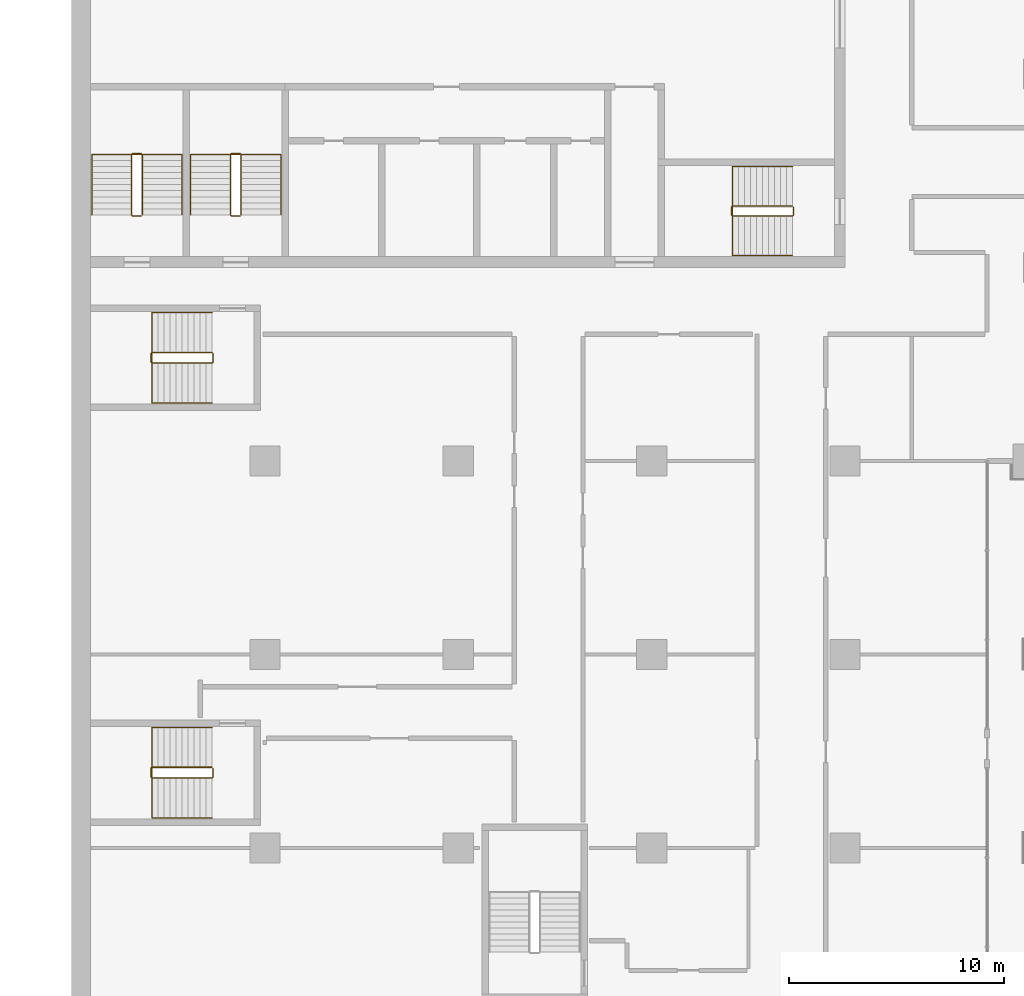
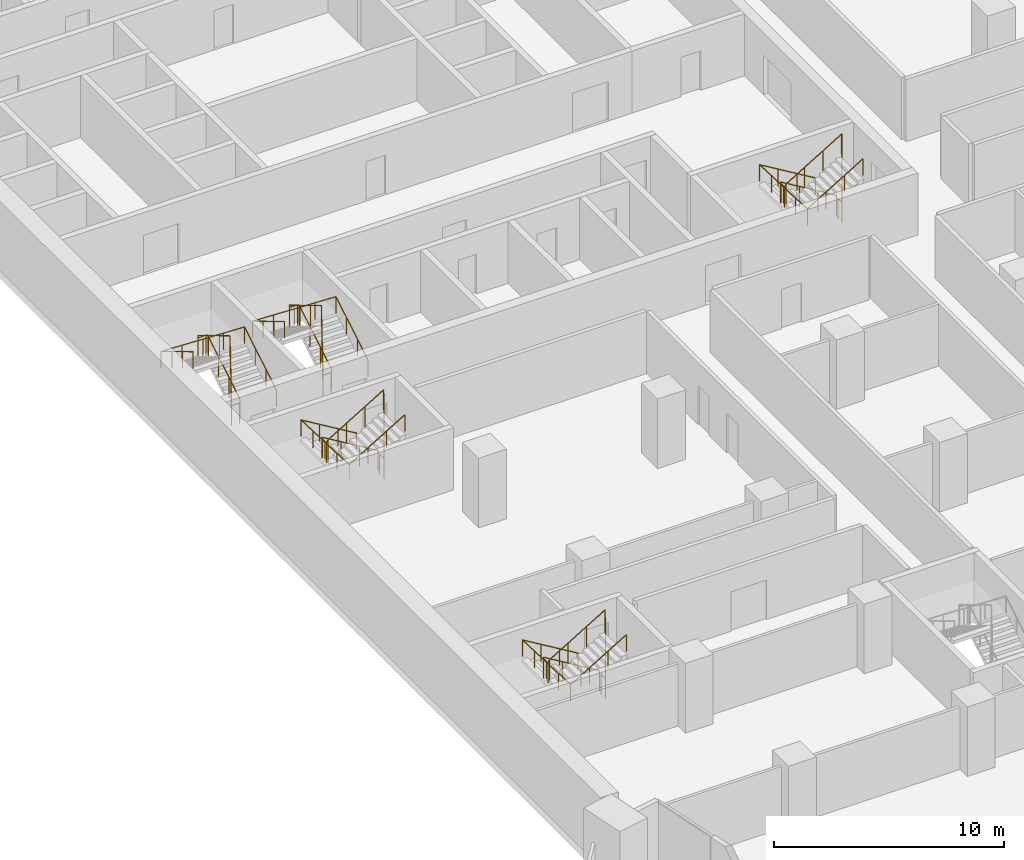
# One storey, part 25 of 28: 10 railings.
"""IFC4 building model written with IfcOpenShell, lengths in metres."""

from ifc_helpers import new_model, si_unit, direction, frame, origin, origin_2d, place, context, subcontext, project, spatial, circle, extrude, material, type_object, element, save


model = new_model("IFC4")

# Units and contexts
model_context = context("Model", 3, precision=1e-05, world=origin(), true_north=direction((0.0, 1.0)))
body_context = subcontext(model_context, "Body", "Model", "MODEL_VIEW")
ifc_project = project(units=[si_unit("LENGTHUNIT", "METRE"), si_unit("AREAUNIT", "SQUARE_METRE"), si_unit("VOLUMEUNIT", "CUBIC_METRE"), si_unit("PLANEANGLEUNIT", "RADIAN"), si_unit("MASSUNIT", "GRAM", prefix="KILO")], contexts=[model_context])

# Site, building, storey
site_placement = place(None, origin())
site = spatial("IfcSite", under=ifc_project, at=site_placement, CompositionType="ELEMENT")
building_placement = place(site_placement, origin())
building = spatial("IfcBuilding", under=site, at=building_placement, Name="Hunhe Ridgeline Campus", CompositionType="ELEMENT")
storey_placement = place(building_placement, frame((0.0, 0.0, 58.0)))
storey = spatial("IfcBuildingStorey", under=building, at=storey_placement, Name="L13", CompositionType="ELEMENT", Elevation=58.0)

# Railings
ifc_material_1 = material(Name="Stainless steel balustrade", Category="steel")
railing_type_1 = type_object("IfcRailingType", Name="Stair guard 1100 stainless", PredefinedType="GUARDRAIL", material=ifc_material_1)
railing_1_placement = place(storey_placement, frame((33.550048828125, 65.85009765625, 0.168212890625)))
element("IfcRailing", 1, at=railing_1_placement, inside=storey, type_object=railing_type_1, Name="L13 stair S2 guard", PredefinedType="GUARDRAIL", context=body_context, shape_type="SweptSolid", body=[
    extrude(circle(Radius=0.02392578125, at=origin_2d()), frame((0.0, 0.0, 1.076171875), z_axis=(-0.857242210791, 0.0, 0.514913383045), x_axis=(0.0, -1.0, 0.0)), (0.0, 0.0, 1.0), 3.266357421875),
    extrude(circle(Radius=0.02392578125, at=origin_2d()), frame((-2.800048828125, 0.0, 2.7578125), z_axis=(-0.707106781187, -0.707106781187, 0.0), x_axis=(0.707106781187, -0.707106781187, 0.0)), (0.0, 0.0, 1.0), 0.07080078125),
    extrude(circle(Radius=0.02392578125, at=origin_2d()), frame((-2.85009765625, -0.050048828125, 2.7578125), z_axis=(0.0, -1.0, 0.0), x_axis=(1.0, 0.0, 0.0)), (0.0, 0.0, 1.0), 0.35009765625),
    extrude(circle(Radius=0.02392578125, at=origin_2d()), frame((-2.85009765625, -0.400146484375, 2.7578125), z_axis=(0.274582412415, -0.274582412415, 0.921525364591), x_axis=(0.707106781187, 0.707106781187, 0.0)), (0.0, 0.0, 1.0), 0.182373046875),
    extrude(circle(Radius=0.02392578125, at=origin_2d()), frame((-2.800048828125, -0.4501953125, 2.92578125), z_axis=(0.857242210791, 0.0, 0.514913383045), x_axis=(0.0, 1.0, 0.0)), (0.0, 0.0, 1.0), 3.266357421875),
    extrude(circle(Radius=0.02392578125, at=origin_2d()), frame((0.0, -0.4501953125, 4.60791015625), z_axis=(0.013524414389, 0.013524414389, -0.999817073484), x_axis=(-0.707106781187, 0.707106781187, 0.0)), (0.0, 0.0, 1.0), 3.70068359375),
    extrude(circle(Radius=0.02392578125, at=origin_2d()), frame((0.050048828125, -0.400146484375, 0.90771484375), z_axis=(0.0, 1.0, 0.0), x_axis=(-1.0, 0.0, 0.0)), (0.0, 0.0, 1.0), 0.35009765625),
    extrude(circle(Radius=0.02099609375, at=origin_2d()), origin(), (0.0, 0.0, 1.0), 1.052001953125),
    extrude(circle(Radius=0.02099609375, at=origin_2d()), frame((-0.933349609375, 0.0, 0.560546875)), (0.0, 0.0, 1.0), 1.052001953125),
    extrude(circle(Radius=0.02099609375, at=origin_2d()), frame((-1.86669921875, 0.0, 1.121337890625)), (0.0, 0.0, 1.0), 1.052001953125),
    extrude(circle(Radius=0.02099609375, at=origin_2d()), frame((-2.800048828125, 0.0, 1.681884765625)), (0.0, 0.0, 1.0), 1.052001953125),
    extrude(circle(Radius=0.02099609375, at=origin_2d()), frame((-2.85009765625, -0.050048828125, 1.681884765625)), (0.0, 0.0, 1.0), 1.052001953125),
    extrude(circle(Radius=0.02099609375, at=origin_2d()), frame((-2.85009765625, -0.400146484375, 1.681884765625)), (0.0, 0.0, 1.0), 1.052001953125),
    extrude(circle(Radius=0.02099609375, at=origin_2d()), frame((-2.800048828125, -0.4501953125, 1.849853515625)), (0.0, 0.0, 1.0), 1.052001953125),
    extrude(circle(Radius=0.02099609375, at=origin_2d()), frame((-1.86669921875, -0.4501953125, 2.410400390625)), (0.0, 0.0, 1.0), 1.052001953125),
    extrude(circle(Radius=0.02099609375, at=origin_2d()), frame((-0.933349609375, -0.4501953125, 2.97119140625)), (0.0, 0.0, 1.0), 1.052001953125),
    extrude(circle(Radius=0.02099609375, at=origin_2d()), frame((0.0, -0.4501953125, 3.53173828125)), (0.0, 0.0, 1.0), 1.052001953125),
    extrude(circle(Radius=0.02099609375, at=origin_2d()), frame((0.012451171875, -0.437744140625, 2.606689453125)), (0.0, 0.0, 1.0), 1.052001953125),
    extrude(circle(Radius=0.02099609375, at=origin_2d()), frame((0.02490234375, -0.42529296875, 1.681640625)), (0.0, 0.0, 1.0), 1.052001953125),
    extrude(circle(Radius=0.02099609375, at=origin_2d()), frame((0.03759765625, -0.41259765625, 0.7568359375)), (0.0, 0.0, 1.0), 1.052001953125),
    extrude(circle(Radius=0.02099609375, at=origin_2d()), frame((0.050048828125, -0.400146484375, -0.168212890625)), (0.0, 0.0, 1.0), 1.052001953125),
    extrude(circle(Radius=0.02099609375, at=origin_2d()), frame((0.050048828125, -0.050048828125, -0.168212890625)), (0.0, 0.0, 1.0), 1.052001953125),
])
railing_2_placement = place(storey_placement, frame((3.300048828125, 65.449951171875, 0.168212890625)))
element("IfcRailing", 2, at=railing_2_placement, inside=storey, type_object=railing_type_1, Name="L13 stair S3 guard", PredefinedType="GUARDRAIL", context=body_context, shape_type="SweptSolid", body=[
    extrude(circle(Radius=0.02392578125, at=origin_2d()), frame((0.0, 0.0, 1.076171875), z_axis=(0.0, 0.857242210791, 0.514913383045), x_axis=(-1.0, 0.0, 0.0)), (0.0, 0.0, 1.0), 3.266357421875),
    extrude(circle(Radius=0.02392578125, at=origin_2d()), frame((0.0, 2.800048828125, 2.7578125), z_axis=(-0.707106781187, 0.707106781187, 0.0), x_axis=(-0.707106781187, -0.707106781187, 0.0)), (0.0, 0.0, 1.0), 0.07080078125),
    extrude(circle(Radius=0.02392578125, at=origin_2d()), frame((-0.050048828125, 2.85009765625, 2.7578125), z_axis=(-1.0, 0.0, 0.0), x_axis=(0.0, -1.0, 0.0)), (0.0, 0.0, 1.0), 0.39990234375),
    extrude(circle(Radius=0.02392578125, at=origin_2d()), frame((-0.449951171875, 2.85009765625, 2.7578125), z_axis=(-0.274582412415, -0.274582412415, 0.921525364591), x_axis=(0.707106781187, -0.707106781187, 0.0)), (0.0, 0.0, 1.0), 0.182373046875),
    extrude(circle(Radius=0.02392578125, at=origin_2d()), frame((-0.5, 2.800048828125, 2.92578125), z_axis=(0.0, -0.857242210791, 0.514913383045), x_axis=(1.0, 0.0, 0.0)), (0.0, 0.0, 1.0), 3.266357421875),
    extrude(circle(Radius=0.02392578125, at=origin_2d()), frame((-0.5, 0.0, 4.60791015625), z_axis=(0.013524414389, -0.013524414389, -0.999817073484), x_axis=(0.707106781187, 0.707106781187, 0.0)), (0.0, 0.0, 1.0), 3.70068359375),
    extrude(circle(Radius=0.02392578125, at=origin_2d()), frame((-0.449951171875, -0.050048828125, 0.90771484375), z_axis=(1.0, 0.0, 0.0), x_axis=(0.0, 1.0, 0.0)), (0.0, 0.0, 1.0), 0.39990234375),
    extrude(circle(Radius=0.02099609375, at=origin_2d()), origin(), (0.0, 0.0, 1.0), 1.052001953125),
    extrude(circle(Radius=0.02099609375, at=origin_2d()), frame((0.0, 0.933349609375, 0.560546875)), (0.0, 0.0, 1.0), 1.052001953125),
    extrude(circle(Radius=0.02099609375, at=origin_2d()), frame((0.0, 1.86669921875, 1.121337890625)), (0.0, 0.0, 1.0), 1.052001953125),
    extrude(circle(Radius=0.02099609375, at=origin_2d()), frame((0.0, 2.800048828125, 1.681884765625)), (0.0, 0.0, 1.0), 1.052001953125),
    extrude(circle(Radius=0.02099609375, at=origin_2d()), frame((-0.050048828125, 2.85009765625, 1.681884765625)), (0.0, 0.0, 1.0), 1.052001953125),
    extrude(circle(Radius=0.02099609375, at=origin_2d()), frame((-0.449951171875, 2.85009765625, 1.681884765625)), (0.0, 0.0, 1.0), 1.052001953125),
    extrude(circle(Radius=0.02099609375, at=origin_2d()), frame((-0.5, 2.800048828125, 1.849853515625)), (0.0, 0.0, 1.0), 1.052001953125),
    extrude(circle(Radius=0.02099609375, at=origin_2d()), frame((-0.5, 1.86669921875, 2.410400390625)), (0.0, 0.0, 1.0), 1.052001953125),
    extrude(circle(Radius=0.02099609375, at=origin_2d()), frame((-0.5, 0.933349609375, 2.97119140625)), (0.0, 0.0, 1.0), 1.052001953125),
    extrude(circle(Radius=0.02099609375, at=origin_2d()), frame((-0.5, 0.0, 3.53173828125)), (0.0, 0.0, 1.0), 1.052001953125),
    extrude(circle(Radius=0.02099609375, at=origin_2d()), frame((-0.487548828125, -0.012451171875, 2.606689453125)), (0.0, 0.0, 1.0), 1.052001953125),
    extrude(circle(Radius=0.02099609375, at=origin_2d()), frame((-0.47509765625, -0.02490234375, 1.681640625)), (0.0, 0.0, 1.0), 1.052001953125),
    extrude(circle(Radius=0.02099609375, at=origin_2d()), frame((-0.46240234375, -0.03759765625, 0.7568359375)), (0.0, 0.0, 1.0), 1.052001953125),
    extrude(circle(Radius=0.02099609375, at=origin_2d()), frame((-0.449951171875, -0.050048828125, -0.168212890625)), (0.0, 0.0, 1.0), 1.052001953125),
    extrude(circle(Radius=0.02099609375, at=origin_2d()), frame((-0.050048828125, -0.050048828125, -0.168212890625)), (0.0, 0.0, 1.0), 1.052001953125),
])
railing_3_placement = place(storey_placement, frame((7.89990234375, 65.449951171875, 0.168212890625)))
element("IfcRailing", 3, at=railing_3_placement, inside=storey, type_object=railing_type_1, Name="L13 stair S4 guard", PredefinedType="GUARDRAIL", context=body_context, shape_type="SweptSolid", body=[
    extrude(circle(Radius=0.02392578125, at=origin_2d()), frame((0.0, 0.0, 1.076171875), z_axis=(0.0, 0.857242210791, 0.514913383045), x_axis=(-1.0, 0.0, 0.0)), (0.0, 0.0, 1.0), 3.266357421875),
    extrude(circle(Radius=0.02392578125, at=origin_2d()), frame((0.0, 2.800048828125, 2.7578125), z_axis=(-0.705375805398, 0.708833529934, 0.0), x_axis=(-0.708833529934, -0.705375805398, 0.0)), (0.0, 0.0, 1.0), 0.070556640625),
    extrude(circle(Radius=0.02392578125, at=origin_2d()), frame((-0.0498046875, 2.85009765625, 2.7578125), z_axis=(-1.0, 0.0, 0.0), x_axis=(0.0, -1.0, 0.0)), (0.0, 0.0, 1.0), 0.400146484375),
    extrude(circle(Radius=0.02392578125, at=origin_2d()), frame((-0.449951171875, 2.85009765625, 2.7578125), z_axis=(-0.274582412415, -0.274582412415, 0.921525364591), x_axis=(0.707106781187, -0.707106781187, 0.0)), (0.0, 0.0, 1.0), 0.182373046875),
    extrude(circle(Radius=0.02392578125, at=origin_2d()), frame((-0.5, 2.800048828125, 2.92578125), z_axis=(0.0, -0.857242210791, 0.514913383045), x_axis=(1.0, 0.0, 0.0)), (0.0, 0.0, 1.0), 3.266357421875),
    extrude(circle(Radius=0.02392578125, at=origin_2d()), frame((-0.5, 0.0, 4.60791015625), z_axis=(0.013524414389, -0.013524414389, -0.999817073484), x_axis=(0.707106781187, 0.707106781187, 0.0)), (0.0, 0.0, 1.0), 3.70068359375),
    extrude(circle(Radius=0.02392578125, at=origin_2d()), frame((-0.449951171875, -0.050048828125, 0.90771484375), z_axis=(1.0, 0.0, 0.0), x_axis=(0.0, 1.0, 0.0)), (0.0, 0.0, 1.0), 0.400146484375),
    extrude(circle(Radius=0.02099609375, at=origin_2d()), origin(), (0.0, 0.0, 1.0), 1.052001953125),
    extrude(circle(Radius=0.02099609375, at=origin_2d()), frame((0.0, 0.933349609375, 0.560546875)), (0.0, 0.0, 1.0), 1.052001953125),
    extrude(circle(Radius=0.02099609375, at=origin_2d()), frame((0.0, 1.86669921875, 1.121337890625)), (0.0, 0.0, 1.0), 1.052001953125),
    extrude(circle(Radius=0.02099609375, at=origin_2d()), frame((0.0, 2.800048828125, 1.681884765625)), (0.0, 0.0, 1.0), 1.052001953125),
    extrude(circle(Radius=0.02099609375, at=origin_2d()), frame((-0.0498046875, 2.85009765625, 1.681884765625)), (0.0, 0.0, 1.0), 1.052001953125),
    extrude(circle(Radius=0.02099609375, at=origin_2d()), frame((-0.449951171875, 2.85009765625, 1.681884765625)), (0.0, 0.0, 1.0), 1.052001953125),
    extrude(circle(Radius=0.02099609375, at=origin_2d()), frame((-0.5, 2.800048828125, 1.849853515625)), (0.0, 0.0, 1.0), 1.052001953125),
    extrude(circle(Radius=0.02099609375, at=origin_2d()), frame((-0.5, 1.86669921875, 2.410400390625)), (0.0, 0.0, 1.0), 1.052001953125),
    extrude(circle(Radius=0.02099609375, at=origin_2d()), frame((-0.5, 0.933349609375, 2.97119140625)), (0.0, 0.0, 1.0), 1.052001953125),
    extrude(circle(Radius=0.02099609375, at=origin_2d()), frame((-0.5, 0.0, 3.53173828125)), (0.0, 0.0, 1.0), 1.052001953125),
    extrude(circle(Radius=0.02099609375, at=origin_2d()), frame((-0.487548828125, -0.012451171875, 2.606689453125)), (0.0, 0.0, 1.0), 1.052001953125),
    extrude(circle(Radius=0.02099609375, at=origin_2d()), frame((-0.47509765625, -0.02490234375, 1.681640625)), (0.0, 0.0, 1.0), 1.052001953125),
    extrude(circle(Radius=0.02099609375, at=origin_2d()), frame((-0.46240234375, -0.03759765625, 0.7568359375)), (0.0, 0.0, 1.0), 1.052001953125),
    extrude(circle(Radius=0.02099609375, at=origin_2d()), frame((-0.449951171875, -0.050048828125, -0.168212890625)), (0.0, 0.0, 1.0), 1.052001953125),
    extrude(circle(Radius=0.02099609375, at=origin_2d()), frame((-0.0498046875, -0.050048828125, -0.168212890625)), (0.0, 0.0, 1.0), 1.052001953125),
])
railing_4_placement = place(storey_placement, frame((6.550048828125, 39.75, 0.168212890625)))
element("IfcRailing", 4, at=railing_4_placement, inside=storey, type_object=railing_type_1, Name="L13 stair W1 guard", PredefinedType="GUARDRAIL", context=body_context, shape_type="SweptSolid", body=[
    extrude(circle(Radius=0.02392578125, at=origin_2d()), frame((0.0, 0.0, 1.076171875), z_axis=(-0.857242210791, 0.0, 0.514913383045), x_axis=(0.0, -1.0, 0.0)), (0.0, 0.0, 1.0), 3.266357421875),
    extrude(circle(Radius=0.02392578125, at=origin_2d()), frame((-2.800048828125, 0.0, 2.7578125), z_axis=(-0.707106781187, -0.707106781187, 0.0), x_axis=(0.707106781187, -0.707106781187, 0.0)), (0.0, 0.0, 1.0), 0.07080078125),
    extrude(circle(Radius=0.02392578125, at=origin_2d()), frame((-2.85009765625, -0.050048828125, 2.7578125), z_axis=(0.0, -1.0, 0.0), x_axis=(1.0, 0.0, 0.0)), (0.0, 0.0, 1.0), 0.39990234375),
    extrude(circle(Radius=0.02392578125, at=origin_2d()), frame((-2.85009765625, -0.449951171875, 2.7578125), z_axis=(0.274582412415, -0.274582412415, 0.921525364591), x_axis=(0.707106781187, 0.707106781187, 0.0)), (0.0, 0.0, 1.0), 0.182373046875),
    extrude(circle(Radius=0.02392578125, at=origin_2d()), frame((-2.800048828125, -0.5, 2.92578125), z_axis=(0.857242210791, 0.0, 0.514913383045), x_axis=(0.0, 1.0, 0.0)), (0.0, 0.0, 1.0), 3.266357421875),
    extrude(circle(Radius=0.02392578125, at=origin_2d()), frame((0.0, -0.5, 4.60791015625), z_axis=(0.013524414389, 0.013524414389, -0.999817073484), x_axis=(-0.707106781187, 0.707106781187, 0.0)), (0.0, 0.0, 1.0), 3.70068359375),
    extrude(circle(Radius=0.02392578125, at=origin_2d()), frame((0.050048828125, -0.449951171875, 0.90771484375), z_axis=(0.0, 1.0, 0.0), x_axis=(-1.0, 0.0, 0.0)), (0.0, 0.0, 1.0), 0.39990234375),
    extrude(circle(Radius=0.02099609375, at=origin_2d()), origin(), (0.0, 0.0, 1.0), 1.052001953125),
    extrude(circle(Radius=0.02099609375, at=origin_2d()), frame((-0.933349609375, 0.0, 0.560546875)), (0.0, 0.0, 1.0), 1.052001953125),
    extrude(circle(Radius=0.02099609375, at=origin_2d()), frame((-1.86669921875, 0.0, 1.121337890625)), (0.0, 0.0, 1.0), 1.052001953125),
    extrude(circle(Radius=0.02099609375, at=origin_2d()), frame((-2.800048828125, 0.0, 1.681884765625)), (0.0, 0.0, 1.0), 1.052001953125),
    extrude(circle(Radius=0.02099609375, at=origin_2d()), frame((-2.85009765625, -0.050048828125, 1.681884765625)), (0.0, 0.0, 1.0), 1.052001953125),
    extrude(circle(Radius=0.02099609375, at=origin_2d()), frame((-2.85009765625, -0.449951171875, 1.681884765625)), (0.0, 0.0, 1.0), 1.052001953125),
    extrude(circle(Radius=0.02099609375, at=origin_2d()), frame((-2.800048828125, -0.5, 1.849853515625)), (0.0, 0.0, 1.0), 1.052001953125),
    extrude(circle(Radius=0.02099609375, at=origin_2d()), frame((-1.86669921875, -0.5, 2.410400390625)), (0.0, 0.0, 1.0), 1.052001953125),
    extrude(circle(Radius=0.02099609375, at=origin_2d()), frame((-0.933349609375, -0.5, 2.97119140625)), (0.0, 0.0, 1.0), 1.052001953125),
    extrude(circle(Radius=0.02099609375, at=origin_2d()), frame((0.0, -0.5, 3.53173828125)), (0.0, 0.0, 1.0), 1.052001953125),
    extrude(circle(Radius=0.02099609375, at=origin_2d()), frame((0.012451171875, -0.487548828125, 2.606689453125)), (0.0, 0.0, 1.0), 1.052001953125),
    extrude(circle(Radius=0.02099609375, at=origin_2d()), frame((0.02490234375, -0.47509765625, 1.681640625)), (0.0, 0.0, 1.0), 1.052001953125),
    extrude(circle(Radius=0.02099609375, at=origin_2d()), frame((0.03759765625, -0.46240234375, 0.7568359375)), (0.0, 0.0, 1.0), 1.052001953125),
    extrude(circle(Radius=0.02099609375, at=origin_2d()), frame((0.050048828125, -0.449951171875, -0.168212890625)), (0.0, 0.0, 1.0), 1.052001953125),
    extrude(circle(Radius=0.02099609375, at=origin_2d()), frame((0.050048828125, -0.050048828125, -0.168212890625)), (0.0, 0.0, 1.0), 1.052001953125),
])
railing_5_placement = place(storey_placement, frame((6.550048828125, 59.050048828125, 0.168212890625)))
element("IfcRailing", 5, at=railing_5_placement, inside=storey, type_object=railing_type_1, Name="L13 stair W2 guard", PredefinedType="GUARDRAIL", context=body_context, shape_type="SweptSolid", body=[
    extrude(circle(Radius=0.02392578125, at=origin_2d()), frame((0.0, 0.0, 1.076171875), z_axis=(-0.857242210791, 0.0, 0.514913383045), x_axis=(0.0, -1.0, 0.0)), (0.0, 0.0, 1.0), 3.266357421875),
    extrude(circle(Radius=0.02392578125, at=origin_2d()), frame((-2.800048828125, 0.0, 2.7578125), z_axis=(-0.707106781187, -0.707106781187, 0.0), x_axis=(0.707106781187, -0.707106781187, 0.0)), (0.0, 0.0, 1.0), 0.07080078125),
    extrude(circle(Radius=0.02392578125, at=origin_2d()), frame((-2.85009765625, -0.050048828125, 2.7578125), z_axis=(0.0, -1.0, 0.0), x_axis=(1.0, 0.0, 0.0)), (0.0, 0.0, 1.0), 0.39990234375),
    extrude(circle(Radius=0.02392578125, at=origin_2d()), frame((-2.85009765625, -0.449951171875, 2.7578125), z_axis=(0.274582412415, -0.274582412415, 0.921525364591), x_axis=(0.707106781187, 0.707106781187, 0.0)), (0.0, 0.0, 1.0), 0.182373046875),
    extrude(circle(Radius=0.02392578125, at=origin_2d()), frame((-2.800048828125, -0.5, 2.92578125), z_axis=(0.857242210791, 0.0, 0.514913383045), x_axis=(0.0, 1.0, 0.0)), (0.0, 0.0, 1.0), 3.266357421875),
    extrude(circle(Radius=0.02392578125, at=origin_2d()), frame((0.0, -0.5, 4.60791015625), z_axis=(0.013524414389, 0.013524414389, -0.999817073484), x_axis=(-0.707106781187, 0.707106781187, 0.0)), (0.0, 0.0, 1.0), 3.70068359375),
    extrude(circle(Radius=0.02392578125, at=origin_2d()), frame((0.050048828125, -0.449951171875, 0.90771484375), z_axis=(0.0, 1.0, 0.0), x_axis=(-1.0, 0.0, 0.0)), (0.0, 0.0, 1.0), 0.39990234375),
    extrude(circle(Radius=0.02099609375, at=origin_2d()), origin(), (0.0, 0.0, 1.0), 1.052001953125),
    extrude(circle(Radius=0.02099609375, at=origin_2d()), frame((-0.933349609375, 0.0, 0.560546875)), (0.0, 0.0, 1.0), 1.052001953125),
    extrude(circle(Radius=0.02099609375, at=origin_2d()), frame((-1.86669921875, 0.0, 1.121337890625)), (0.0, 0.0, 1.0), 1.052001953125),
    extrude(circle(Radius=0.02099609375, at=origin_2d()), frame((-2.800048828125, 0.0, 1.681884765625)), (0.0, 0.0, 1.0), 1.052001953125),
    extrude(circle(Radius=0.02099609375, at=origin_2d()), frame((-2.85009765625, -0.050048828125, 1.681884765625)), (0.0, 0.0, 1.0), 1.052001953125),
    extrude(circle(Radius=0.02099609375, at=origin_2d()), frame((-2.85009765625, -0.449951171875, 1.681884765625)), (0.0, 0.0, 1.0), 1.052001953125),
    extrude(circle(Radius=0.02099609375, at=origin_2d()), frame((-2.800048828125, -0.5, 1.849853515625)), (0.0, 0.0, 1.0), 1.052001953125),
    extrude(circle(Radius=0.02099609375, at=origin_2d()), frame((-1.86669921875, -0.5, 2.410400390625)), (0.0, 0.0, 1.0), 1.052001953125),
    extrude(circle(Radius=0.02099609375, at=origin_2d()), frame((-0.933349609375, -0.5, 2.97119140625)), (0.0, 0.0, 1.0), 1.052001953125),
    extrude(circle(Radius=0.02099609375, at=origin_2d()), frame((0.0, -0.5, 3.53173828125)), (0.0, 0.0, 1.0), 1.052001953125),
    extrude(circle(Radius=0.02099609375, at=origin_2d()), frame((0.012451171875, -0.487548828125, 2.606689453125)), (0.0, 0.0, 1.0), 1.052001953125),
    extrude(circle(Radius=0.02099609375, at=origin_2d()), frame((0.02490234375, -0.47509765625, 1.681640625)), (0.0, 0.0, 1.0), 1.052001953125),
    extrude(circle(Radius=0.02099609375, at=origin_2d()), frame((0.03759765625, -0.46240234375, 0.7568359375)), (0.0, 0.0, 1.0), 1.052001953125),
    extrude(circle(Radius=0.02099609375, at=origin_2d()), frame((0.050048828125, -0.449951171875, -0.168212890625)), (0.0, 0.0, 1.0), 1.052001953125),
    extrude(circle(Radius=0.02099609375, at=origin_2d()), frame((0.050048828125, -0.050048828125, -0.168212890625)), (0.0, 0.0, 1.0), 1.052001953125),
])
ifc_material_2 = material(Name="Stainless steel handrail", Category="steel")
railing_type_2 = type_object("IfcRailingType", Name="Stair handrail 900 stainless", PredefinedType="HANDRAIL", material=ifc_material_2)
railing_6_placement = place(storey_placement, frame((33.550048828125, 67.699951171875, 0.168212890625)))
element("IfcRailing", 6, at=railing_6_placement, inside=storey, type_object=railing_type_2, Name="L13 stair S2 handrail", PredefinedType="HANDRAIL", context=body_context, shape_type="SweptSolid", body=[
    extrude(circle(Radius=0.02392578125, at=origin_2d()), frame((0.0, 0.0, 0.8759765625), z_axis=(-0.857242210791, 0.0, 0.514913383045), x_axis=(0.0, -1.0, 0.0)), (0.0, 0.0, 1.0), 3.266357421875),
    extrude(circle(Radius=0.02392578125, at=origin_2d()), frame((-2.800048828125, 0.0, 2.5576171875), z_axis=(0.0, -0.999181878101, 0.040442236271), x_axis=(1.0, 0.0, 0.0)), (0.0, 0.0, 1.0), 4.1533203125),
    extrude(circle(Radius=0.02392578125, at=origin_2d()), frame((-2.800048828125, -4.14990234375, 2.7255859375), z_axis=(0.857242210791, 0.0, 0.514913383045), x_axis=(0.0, 1.0, 0.0)), (0.0, 0.0, 1.0), 3.266357421875),
    extrude(circle(Radius=0.02099609375, at=origin_2d()), origin(), (0.0, 0.0, 1.0), 0.851806640625),
    extrude(circle(Radius=0.02099609375, at=origin_2d()), frame((-0.933349609375, 0.0, 0.560546875)), (0.0, 0.0, 1.0), 0.851806640625),
    extrude(circle(Radius=0.02099609375, at=origin_2d()), frame((-1.86669921875, 0.0, 1.121337890625)), (0.0, 0.0, 1.0), 0.851806640625),
    extrude(circle(Radius=0.02099609375, at=origin_2d()), frame((-2.800048828125, 0.0, 1.681884765625)), (0.0, 0.0, 1.0), 0.851806640625),
    extrude(circle(Radius=0.02099609375, at=origin_2d()), frame((-2.800048828125, -1.03759765625, 1.723876953125)), (0.0, 0.0, 1.0), 0.851806640625),
    extrude(circle(Radius=0.02099609375, at=origin_2d()), frame((-2.800048828125, -2.074951171875, 1.765869140625)), (0.0, 0.0, 1.0), 0.851806640625),
    extrude(circle(Radius=0.02099609375, at=origin_2d()), frame((-2.800048828125, -3.1123046875, 1.807861328125)), (0.0, 0.0, 1.0), 0.851806640625),
    extrude(circle(Radius=0.02099609375, at=origin_2d()), frame((-2.800048828125, -4.14990234375, 1.849853515625)), (0.0, 0.0, 1.0), 0.851806640625),
    extrude(circle(Radius=0.02099609375, at=origin_2d()), frame((-1.86669921875, -4.14990234375, 2.410400390625)), (0.0, 0.0, 1.0), 0.851806640625),
    extrude(circle(Radius=0.02099609375, at=origin_2d()), frame((-0.933349609375, -4.14990234375, 2.97119140625)), (0.0, 0.0, 1.0), 0.851806640625),
    extrude(circle(Radius=0.02099609375, at=origin_2d()), frame((0.0, -4.14990234375, 3.53173828125)), (0.0, 0.0, 1.0), 0.851806640625),
])
railing_7_placement = place(storey_placement, frame((5.14990234375, 65.449951171875, 0.168212890625)))
element("IfcRailing", 7, at=railing_7_placement, inside=storey, type_object=railing_type_2, Name="L13 stair S3 handrail", PredefinedType="HANDRAIL", context=body_context, shape_type="SweptSolid", body=[
    extrude(circle(Radius=0.02392578125, at=origin_2d()), frame((0.0, 0.0, 0.8759765625), z_axis=(0.0, 0.857242210791, 0.514913383045), x_axis=(-1.0, 0.0, 0.0)), (0.0, 0.0, 1.0), 3.266357421875),
    extrude(circle(Radius=0.02392578125, at=origin_2d()), frame((0.0, 2.800048828125, 2.5576171875), z_axis=(-0.99920123705, 0.0, 0.039961079526), x_axis=(0.0, -1.0, 0.0)), (0.0, 0.0, 1.0), 4.203369140625),
    extrude(circle(Radius=0.02392578125, at=origin_2d()), frame((-4.199951171875, 2.800048828125, 2.7255859375), z_axis=(0.0, -0.857242210791, 0.514913383045), x_axis=(1.0, 0.0, 0.0)), (0.0, 0.0, 1.0), 3.266357421875),
    extrude(circle(Radius=0.02099609375, at=origin_2d()), origin(), (0.0, 0.0, 1.0), 0.851806640625),
    extrude(circle(Radius=0.02099609375, at=origin_2d()), frame((0.0, 0.933349609375, 0.560546875)), (0.0, 0.0, 1.0), 0.851806640625),
    extrude(circle(Radius=0.02099609375, at=origin_2d()), frame((0.0, 1.86669921875, 1.121337890625)), (0.0, 0.0, 1.0), 0.851806640625),
    extrude(circle(Radius=0.02099609375, at=origin_2d()), frame((0.0, 2.800048828125, 1.681884765625)), (0.0, 0.0, 1.0), 0.851806640625),
    extrude(circle(Radius=0.02099609375, at=origin_2d()), frame((-1.050048828125, 2.800048828125, 1.723876953125)), (0.0, 0.0, 1.0), 0.851806640625),
    extrude(circle(Radius=0.02099609375, at=origin_2d()), frame((-2.10009765625, 2.800048828125, 1.765869140625)), (0.0, 0.0, 1.0), 0.851806640625),
    extrude(circle(Radius=0.02099609375, at=origin_2d()), frame((-3.14990234375, 2.800048828125, 1.807861328125)), (0.0, 0.0, 1.0), 0.851806640625),
    extrude(circle(Radius=0.02099609375, at=origin_2d()), frame((-4.199951171875, 2.800048828125, 1.849853515625)), (0.0, 0.0, 1.0), 0.851806640625),
    extrude(circle(Radius=0.02099609375, at=origin_2d()), frame((-4.199951171875, 1.86669921875, 2.410400390625)), (0.0, 0.0, 1.0), 0.851806640625),
    extrude(circle(Radius=0.02099609375, at=origin_2d()), frame((-4.199951171875, 0.933349609375, 2.97119140625)), (0.0, 0.0, 1.0), 0.851806640625),
    extrude(circle(Radius=0.02099609375, at=origin_2d()), frame((-4.199951171875, 0.0, 3.53173828125)), (0.0, 0.0, 1.0), 0.851806640625),
])
railing_8_placement = place(storey_placement, frame((9.75, 65.449951171875, 0.168212890625)))
element("IfcRailing", 8, at=railing_8_placement, inside=storey, type_object=railing_type_2, Name="L13 stair S4 handrail", PredefinedType="HANDRAIL", context=body_context, shape_type="SweptSolid", body=[
    extrude(circle(Radius=0.02392578125, at=origin_2d()), frame((0.0, 0.0, 0.8759765625), z_axis=(0.0, 0.857242210791, 0.514913383045), x_axis=(-1.0, 0.0, 0.0)), (0.0, 0.0, 1.0), 3.266357421875),
    extrude(circle(Radius=0.02392578125, at=origin_2d()), frame((0.0, 2.800048828125, 2.5576171875), z_axis=(-0.99920123705, 0.0, 0.039961079526), x_axis=(0.0, -1.0, 0.0)), (0.0, 0.0, 1.0), 4.203369140625),
    extrude(circle(Radius=0.02392578125, at=origin_2d()), frame((-4.199951171875, 2.800048828125, 2.7255859375), z_axis=(0.0, -0.857242210791, 0.514913383045), x_axis=(1.0, 0.0, 0.0)), (0.0, 0.0, 1.0), 3.266357421875),
    extrude(circle(Radius=0.02099609375, at=origin_2d()), origin(), (0.0, 0.0, 1.0), 0.851806640625),
    extrude(circle(Radius=0.02099609375, at=origin_2d()), frame((0.0, 0.933349609375, 0.560546875)), (0.0, 0.0, 1.0), 0.851806640625),
    extrude(circle(Radius=0.02099609375, at=origin_2d()), frame((0.0, 1.86669921875, 1.121337890625)), (0.0, 0.0, 1.0), 0.851806640625),
    extrude(circle(Radius=0.02099609375, at=origin_2d()), frame((0.0, 2.800048828125, 1.681884765625)), (0.0, 0.0, 1.0), 0.851806640625),
    extrude(circle(Radius=0.02099609375, at=origin_2d()), frame((-1.050048828125, 2.800048828125, 1.723876953125)), (0.0, 0.0, 1.0), 0.851806640625),
    extrude(circle(Radius=0.02099609375, at=origin_2d()), frame((-2.10009765625, 2.800048828125, 1.765869140625)), (0.0, 0.0, 1.0), 0.851806640625),
    extrude(circle(Radius=0.02099609375, at=origin_2d()), frame((-3.14990234375, 2.800048828125, 1.807861328125)), (0.0, 0.0, 1.0), 0.851806640625),
    extrude(circle(Radius=0.02099609375, at=origin_2d()), frame((-4.199951171875, 2.800048828125, 1.849853515625)), (0.0, 0.0, 1.0), 0.851806640625),
    extrude(circle(Radius=0.02099609375, at=origin_2d()), frame((-4.199951171875, 1.86669921875, 2.410400390625)), (0.0, 0.0, 1.0), 0.851806640625),
    extrude(circle(Radius=0.02099609375, at=origin_2d()), frame((-4.199951171875, 0.933349609375, 2.97119140625)), (0.0, 0.0, 1.0), 0.851806640625),
    extrude(circle(Radius=0.02099609375, at=origin_2d()), frame((-4.199951171875, 0.0, 3.53173828125)), (0.0, 0.0, 1.0), 0.851806640625),
])
railing_9_placement = place(storey_placement, frame((6.550048828125, 41.60009765625, 0.168212890625)))
element("IfcRailing", 9, at=railing_9_placement, inside=storey, type_object=railing_type_2, Name="L13 stair W1 handrail", PredefinedType="HANDRAIL", context=body_context, shape_type="SweptSolid", body=[
    extrude(circle(Radius=0.02392578125, at=origin_2d()), frame((0.0, 0.0, 0.8759765625), z_axis=(-0.857242210791, 0.0, 0.514913383045), x_axis=(0.0, -1.0, 0.0)), (0.0, 0.0, 1.0), 3.266357421875),
    extrude(circle(Radius=0.02392578125, at=origin_2d()), frame((-2.800048828125, 0.0, 2.5576171875), z_axis=(0.0, -0.999201329794, 0.039958760457), x_axis=(1.0, 0.0, 0.0)), (0.0, 0.0, 1.0), 4.20361328125),
    extrude(circle(Radius=0.02392578125, at=origin_2d()), frame((-2.800048828125, -4.2001953125, 2.7255859375), z_axis=(0.857242210791, 0.0, 0.514913383045), x_axis=(0.0, 1.0, 0.0)), (0.0, 0.0, 1.0), 3.266357421875),
    extrude(circle(Radius=0.02099609375, at=origin_2d()), origin(), (0.0, 0.0, 1.0), 0.851806640625),
    extrude(circle(Radius=0.02099609375, at=origin_2d()), frame((-0.933349609375, 0.0, 0.560546875)), (0.0, 0.0, 1.0), 0.851806640625),
    extrude(circle(Radius=0.02099609375, at=origin_2d()), frame((-1.86669921875, 0.0, 1.121337890625)), (0.0, 0.0, 1.0), 0.851806640625),
    extrude(circle(Radius=0.02099609375, at=origin_2d()), frame((-2.800048828125, 0.0, 1.681884765625)), (0.0, 0.0, 1.0), 0.851806640625),
    extrude(circle(Radius=0.02099609375, at=origin_2d()), frame((-2.800048828125, -1.050048828125, 1.723876953125)), (0.0, 0.0, 1.0), 0.851806640625),
    extrude(circle(Radius=0.02099609375, at=origin_2d()), frame((-2.800048828125, -2.10009765625, 1.765869140625)), (0.0, 0.0, 1.0), 0.851806640625),
    extrude(circle(Radius=0.02099609375, at=origin_2d()), frame((-2.800048828125, -3.150146484375, 1.807861328125)), (0.0, 0.0, 1.0), 0.851806640625),
    extrude(circle(Radius=0.02099609375, at=origin_2d()), frame((-2.800048828125, -4.2001953125, 1.849853515625)), (0.0, 0.0, 1.0), 0.851806640625),
    extrude(circle(Radius=0.02099609375, at=origin_2d()), frame((-1.86669921875, -4.2001953125, 2.410400390625)), (0.0, 0.0, 1.0), 0.851806640625),
    extrude(circle(Radius=0.02099609375, at=origin_2d()), frame((-0.933349609375, -4.2001953125, 2.97119140625)), (0.0, 0.0, 1.0), 0.851806640625),
    extrude(circle(Radius=0.02099609375, at=origin_2d()), frame((0.0, -4.2001953125, 3.53173828125)), (0.0, 0.0, 1.0), 0.851806640625),
])
railing_10_placement = place(storey_placement, frame((6.550048828125, 60.89990234375, 0.168212890625)))
element("IfcRailing", 10, at=railing_10_placement, inside=storey, type_object=railing_type_2, Name="L13 stair W2 handrail", PredefinedType="HANDRAIL", context=body_context, shape_type="SweptSolid", body=[
    extrude(circle(Radius=0.02392578125, at=origin_2d()), frame((0.0, 0.0, 0.8759765625), z_axis=(-0.857242210791, 0.0, 0.514913383045), x_axis=(0.0, -1.0, 0.0)), (0.0, 0.0, 1.0), 3.266357421875),
    extrude(circle(Radius=0.02392578125, at=origin_2d()), frame((-2.800048828125, 0.0, 2.5576171875), z_axis=(0.0, -0.99920123705, 0.039961079526), x_axis=(1.0, 0.0, 0.0)), (0.0, 0.0, 1.0), 4.203369140625),
    extrude(circle(Radius=0.02392578125, at=origin_2d()), frame((-2.800048828125, -4.199951171875, 2.7255859375), z_axis=(0.857242210791, 0.0, 0.514913383045), x_axis=(0.0, 1.0, 0.0)), (0.0, 0.0, 1.0), 3.266357421875),
    extrude(circle(Radius=0.02099609375, at=origin_2d()), origin(), (0.0, 0.0, 1.0), 0.851806640625),
    extrude(circle(Radius=0.02099609375, at=origin_2d()), frame((-0.933349609375, 0.0, 0.560546875)), (0.0, 0.0, 1.0), 0.851806640625),
    extrude(circle(Radius=0.02099609375, at=origin_2d()), frame((-1.86669921875, 0.0, 1.121337890625)), (0.0, 0.0, 1.0), 0.851806640625),
    extrude(circle(Radius=0.02099609375, at=origin_2d()), frame((-2.800048828125, 0.0, 1.681884765625)), (0.0, 0.0, 1.0), 0.851806640625),
    extrude(circle(Radius=0.02099609375, at=origin_2d()), frame((-2.800048828125, -1.050048828125, 1.723876953125)), (0.0, 0.0, 1.0), 0.851806640625),
    extrude(circle(Radius=0.02099609375, at=origin_2d()), frame((-2.800048828125, -2.10009765625, 1.765869140625)), (0.0, 0.0, 1.0), 0.851806640625),
    extrude(circle(Radius=0.02099609375, at=origin_2d()), frame((-2.800048828125, -3.14990234375, 1.807861328125)), (0.0, 0.0, 1.0), 0.851806640625),
    extrude(circle(Radius=0.02099609375, at=origin_2d()), frame((-2.800048828125, -4.199951171875, 1.849853515625)), (0.0, 0.0, 1.0), 0.851806640625),
    extrude(circle(Radius=0.02099609375, at=origin_2d()), frame((-1.86669921875, -4.199951171875, 2.410400390625)), (0.0, 0.0, 1.0), 0.851806640625),
    extrude(circle(Radius=0.02099609375, at=origin_2d()), frame((-0.933349609375, -4.199951171875, 2.97119140625)), (0.0, 0.0, 1.0), 0.851806640625),
    extrude(circle(Radius=0.02099609375, at=origin_2d()), frame((0.0, -4.199951171875, 3.53173828125)), (0.0, 0.0, 1.0), 0.851806640625),
])

save(model, "model.ifc")
